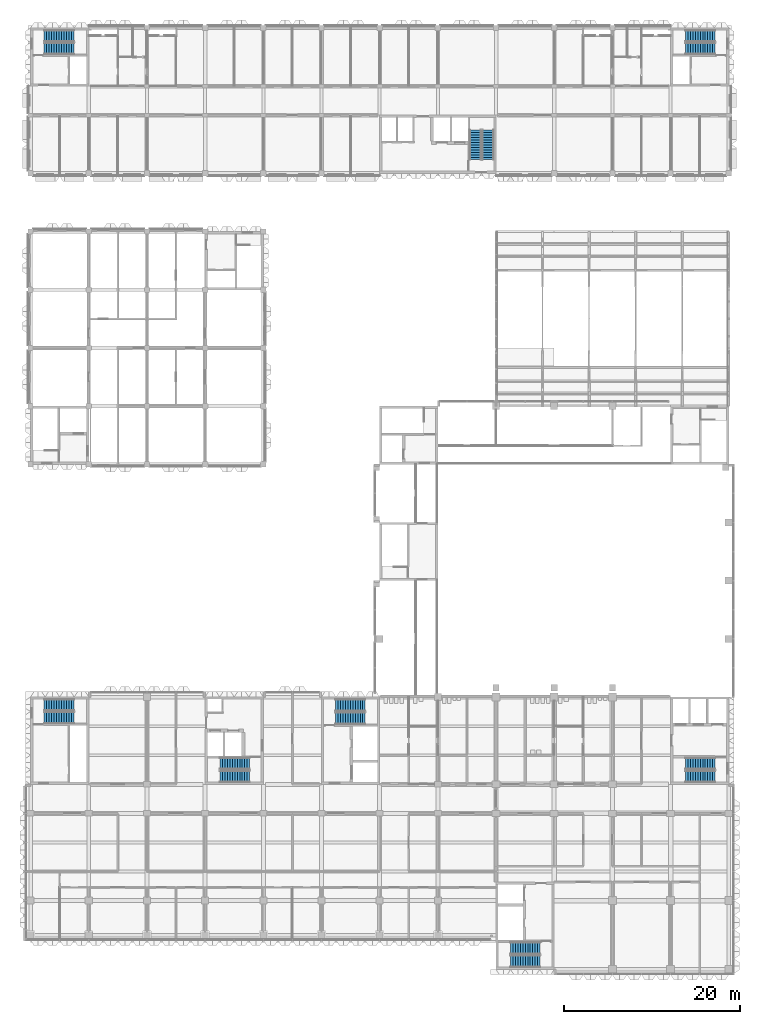
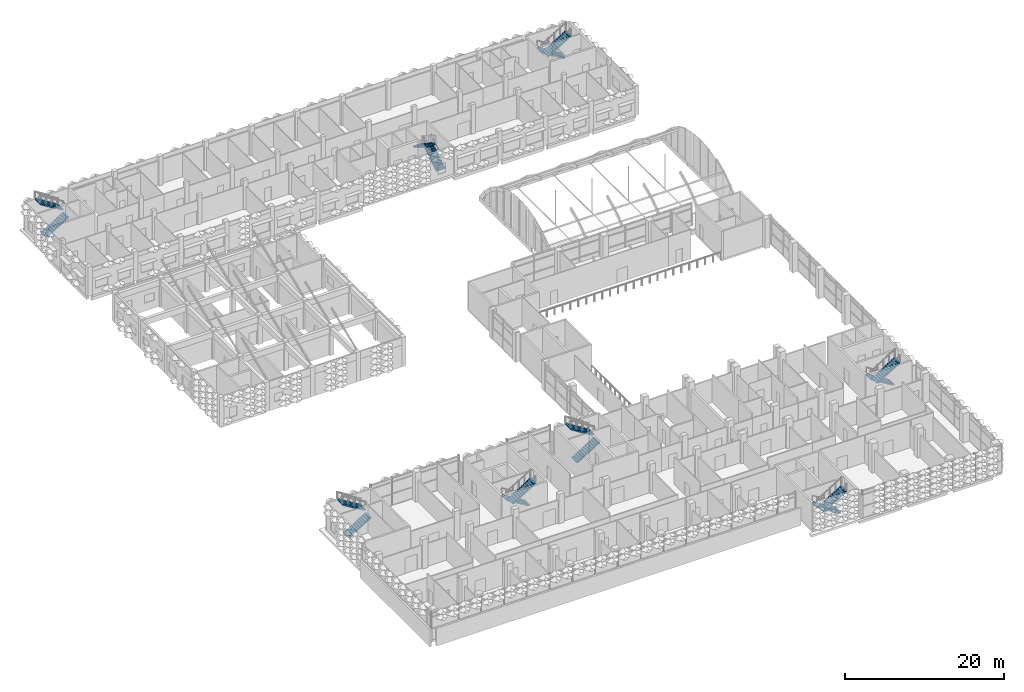
# One storey, part 55 of 102: 16 stair flights, 8 elements without a shape of their own.
"""IFC4 building model written with IfcOpenShell, lengths in metres."""

from ifc_helpers import new_model, si_unit, direction, frame, origin, place, context, subcontext, project, spatial, polyline, outline, extrude, material, type_object, element, aggregate, save


model = new_model("IFC4")

# Units and contexts
model_context = context("Model", 3, precision=1e-05, world=origin(), true_north=direction((0.0, 1.0)))
body_context = subcontext(model_context, "Body", "Model", "MODEL_VIEW")
ifc_project = project(units=[si_unit("LENGTHUNIT", "METRE"), si_unit("AREAUNIT", "SQUARE_METRE"), si_unit("VOLUMEUNIT", "CUBIC_METRE"), si_unit("PLANEANGLEUNIT", "RADIAN"), si_unit("MASSUNIT", "GRAM", prefix="KILO")], contexts=[model_context])

# Site, building, storey
site_placement = place(None, origin())
site = spatial("IfcSite", under=ifc_project, at=site_placement, CompositionType="ELEMENT")
building_placement = place(site_placement, origin())
building = spatial("IfcBuilding", under=site, at=building_placement, Name="Lantern Court Research Institute", CompositionType="ELEMENT")
storey_placement = place(building_placement, frame((0.0, 0.0, 9.89990234375)))
storey = spatial("IfcBuildingStorey", under=building, at=storey_placement, Name="L02", CompositionType="ELEMENT", Elevation=9.89990234375)

# Stair, stair flights
ifc_material_1 = material(Name="Concrete C40/50", Category="concrete")
stair_type_1 = type_object("IfcStairType", Name="RC half-turn stair 1300 wide, 4500 rise, 6100 shaft", PredefinedType="HALF_TURN_STAIR", material=ifc_material_1)
stair_1_placement = place(storey_placement, origin())
stair_1 = element("IfcStair", 1, at=stair_1_placement, inside=storey, type_object=stair_type_1, Name="L02 stair ST-B1", PredefinedType="HALF_TURN_STAIR")
ifc_material_2 = material(Name="Concrete C40/50", Category="concrete")
stair_flight_type_1 = type_object("IfcStairFlightType", Name="RC stair flight 1300 wide, 13 risers of 173, going 280", PredefinedType="STRAIGHT", material=ifc_material_2)
stair_flight_1_placement = place(storey_placement, frame((1.550048828125, 20.75, 0.0), z_axis=(0.0, 0.0, 1.0), x_axis=(1.0, 0.0, 0.0)))
stair_flight_1 = element("IfcStairFlight", 2, at=stair_flight_1_placement, type_object=stair_flight_type_1, Name="ST-B1 flight 1", NumberOfRisers=13, NumberOfTreads=12, PredefinedType="STRAIGHT", RiserHeight=0.173076923, TreadLength=0.28, context=body_context, shape_type="SweptSolid", body=[
    extrude(outline(polyline([(0.0, 0.0), (0.0, 0.173095703125), (0.280029296875, 0.173095703125), (0.280029296875, 0.34619140625), (0.56005859375, 0.34619140625), (0.56005859375, 0.519287109375), (0.840087890625, 0.519287109375), (0.840087890625, 0.6923828125), (1.1201171875, 0.6923828125), (1.1201171875, 0.865478515625), (1.39990234375, 0.865478515625), (1.39990234375, 1.03857421875), (1.679931640625, 1.03857421875), (1.679931640625, 1.21142578125), (1.9599609375, 1.21142578125), (1.9599609375, 1.384521484375), (2.239990234375, 1.384521484375), (2.239990234375, 1.5576171875), (2.52001953125, 1.5576171875), (2.52001953125, 1.730712890625), (2.800048828125, 1.730712890625), (2.800048828125, 1.90380859375), (3.080078125, 1.90380859375), (3.080078125, 2.076904296875), (3.360107421875, 2.076904296875), (3.360107421875, 2.25), (3.360107421875, 1.900634765625), (0.28515625, 0.0), (0.0, 0.0)])), frame((0.0, 0.64990234375, 0.0), z_axis=(0.0, -1.0, 0.0), x_axis=(1.0, 0.0, 0.0)), (0.0, 0.0, 1.0), 1.300048828125),
])
stair_flight_2_placement = place(storey_placement, frame((4.909912109375, 22.199951171875, 2.25), z_axis=(0.0, 0.0, 1.0), x_axis=(-1.0, 0.0, 0.0)))
stair_flight_2 = element("IfcStairFlight", 3, at=stair_flight_2_placement, type_object=stair_flight_type_1, Name="ST-B1 flight 2", NumberOfRisers=13, NumberOfTreads=12, PredefinedType="STRAIGHT", RiserHeight=0.173076923, TreadLength=0.28, context=body_context, shape_type="SweptSolid", body=[
    extrude(outline(polyline([(0.0, 0.0), (0.0, 0.173095703125), (0.280029296875, 0.173095703125), (0.280029296875, 0.34619140625), (0.56005859375, 0.34619140625), (0.56005859375, 0.519287109375), (0.840087890625, 0.519287109375), (0.840087890625, 0.6923828125), (1.1201171875, 0.6923828125), (1.1201171875, 0.865478515625), (1.39990234375, 0.865478515625), (1.39990234375, 1.03857421875), (1.679931640625, 1.03857421875), (1.679931640625, 1.21142578125), (1.9599609375, 1.21142578125), (1.9599609375, 1.384521484375), (2.239990234375, 1.384521484375), (2.239990234375, 1.5576171875), (2.52001953125, 1.5576171875), (2.52001953125, 1.730712890625), (2.800048828125, 1.730712890625), (2.800048828125, 1.90380859375), (3.080078125, 1.90380859375), (3.080078125, 2.076904296875), (3.360107421875, 2.076904296875), (3.360107421875, 2.25), (3.360107421875, 1.900634765625), (0.28515625, 0.0), (0.0, 0.0)])), frame((0.0, 0.64990234375, 0.0), z_axis=(0.0, -1.0, 0.0), x_axis=(1.0, 0.0, 0.0)), (0.0, 0.0, 1.0), 1.300048828125),
])
aggregate(stair_1, [stair_flight_1, stair_flight_2])

stair_2_placement = place(storey_placement, origin())
stair_2 = element("IfcStair", 4, at=stair_2_placement, inside=storey, type_object=stair_type_1, Name="L02 stair ST-B2", PredefinedType="HALF_TURN_STAIR")
stair_flight_3_placement = place(storey_placement, frame((24.85009765625, 15.550048828125, 0.0), z_axis=(0.0, 0.0, 1.0), x_axis=(-1.0, 0.0, 0.0)))
stair_flight_3 = element("IfcStairFlight", 5, at=stair_flight_3_placement, type_object=stair_flight_type_1, Name="ST-B2 flight 1", NumberOfRisers=13, NumberOfTreads=12, PredefinedType="STRAIGHT", RiserHeight=0.173076923, TreadLength=0.28, context=body_context, shape_type="SweptSolid", body=[
    extrude(outline(polyline([(0.0, 0.0), (0.0, 0.173095703125), (0.280029296875, 0.173095703125), (0.280029296875, 0.34619140625), (0.56005859375, 0.34619140625), (0.56005859375, 0.519287109375), (0.840087890625, 0.519287109375), (0.840087890625, 0.6923828125), (1.1201171875, 0.6923828125), (1.1201171875, 0.865478515625), (1.39990234375, 0.865478515625), (1.39990234375, 1.03857421875), (1.679931640625, 1.03857421875), (1.679931640625, 1.21142578125), (1.9599609375, 1.21142578125), (1.9599609375, 1.384521484375), (2.239990234375, 1.384521484375), (2.239990234375, 1.5576171875), (2.52001953125, 1.5576171875), (2.52001953125, 1.730712890625), (2.800048828125, 1.730712890625), (2.800048828125, 1.90380859375), (3.080078125, 1.90380859375), (3.080078125, 2.076904296875), (3.360107421875, 2.076904296875), (3.360107421875, 2.25), (3.360107421875, 1.900634765625), (0.28515625, 0.0), (0.0, 0.0)])), frame((0.0, 0.64990234375, 0.0), z_axis=(0.0, -1.0, 0.0), x_axis=(1.0, 0.0, 0.0)), (0.0, 0.0, 1.0), 1.300048828125),
])
stair_flight_4_placement = place(storey_placement, frame((21.489990234375, 14.10009765625, 2.25), z_axis=(0.0, 0.0, 1.0), x_axis=(1.0, 0.0, 0.0)))
stair_flight_4 = element("IfcStairFlight", 6, at=stair_flight_4_placement, type_object=stair_flight_type_1, Name="ST-B2 flight 2", NumberOfRisers=13, NumberOfTreads=12, PredefinedType="STRAIGHT", RiserHeight=0.173076923, TreadLength=0.28, context=body_context, shape_type="SweptSolid", body=[
    extrude(outline(polyline([(0.0, 0.0), (0.0, 0.173095703125), (0.280029296875, 0.173095703125), (0.280029296875, 0.34619140625), (0.56005859375, 0.34619140625), (0.56005859375, 0.519287109375), (0.840087890625, 0.519287109375), (0.840087890625, 0.6923828125), (1.1201171875, 0.6923828125), (1.1201171875, 0.865478515625), (1.39990234375, 0.865478515625), (1.39990234375, 1.03857421875), (1.679931640625, 1.03857421875), (1.679931640625, 1.21142578125), (1.9599609375, 1.21142578125), (1.9599609375, 1.384521484375), (2.239990234375, 1.384521484375), (2.239990234375, 1.5576171875), (2.52001953125, 1.5576171875), (2.52001953125, 1.730712890625), (2.800048828125, 1.730712890625), (2.800048828125, 1.90380859375), (3.080078125, 1.90380859375), (3.080078125, 2.076904296875), (3.360107421875, 2.076904296875), (3.360107421875, 2.25), (3.360107421875, 1.900634765625), (0.28515625, 0.0), (0.0, 0.0)])), frame((0.0, 0.64990234375, 0.0), z_axis=(0.0, -1.0, 0.0), x_axis=(1.0, 0.0, 0.0)), (0.0, 0.0, 1.0), 1.300048828125),
])
aggregate(stair_2, [stair_flight_3, stair_flight_4])

stair_3_placement = place(storey_placement, origin())
stair_3 = element("IfcStair", 7, at=stair_3_placement, inside=storey, type_object=stair_type_1, Name="L02 stair ST-T2", PredefinedType="HALF_TURN_STAIR")
stair_flight_5_placement = place(storey_placement, frame((77.64990234375, 15.550048828125, 0.0), z_axis=(0.0, 0.0, 1.0), x_axis=(-1.0, 0.0, 0.0)))
stair_flight_5 = element("IfcStairFlight", 8, at=stair_flight_5_placement, type_object=stair_flight_type_1, Name="ST-T2 flight 1", NumberOfRisers=13, NumberOfTreads=12, PredefinedType="STRAIGHT", RiserHeight=0.173076923, TreadLength=0.28, context=body_context, shape_type="SweptSolid", body=[
    extrude(outline(polyline([(0.0, 0.0), (0.0, 0.173095703125), (0.280029296875, 0.173095703125), (0.280029296875, 0.34619140625), (0.56005859375, 0.34619140625), (0.56005859375, 0.519287109375), (0.840087890625, 0.519287109375), (0.840087890625, 0.6923828125), (1.1201171875, 0.6923828125), (1.1201171875, 0.865478515625), (1.39990234375, 0.865478515625), (1.39990234375, 1.03857421875), (1.679931640625, 1.03857421875), (1.679931640625, 1.21142578125), (1.9599609375, 1.21142578125), (1.9599609375, 1.384521484375), (2.239990234375, 1.384521484375), (2.239990234375, 1.5576171875), (2.52001953125, 1.5576171875), (2.52001953125, 1.730712890625), (2.800048828125, 1.730712890625), (2.800048828125, 1.90380859375), (3.080078125, 1.90380859375), (3.080078125, 2.076904296875), (3.360107421875, 2.076904296875), (3.360107421875, 2.25), (3.360107421875, 1.900634765625), (0.28515625, 0.0), (0.0, 0.0)])), frame((0.0, 0.64990234375, 0.0), z_axis=(0.0, -1.0, 0.0), x_axis=(1.0, 0.0, 0.0)), (0.0, 0.0, 1.0), 1.300048828125),
])
stair_flight_6_placement = place(storey_placement, frame((74.2900390625, 14.10009765625, 2.25), z_axis=(0.0, 0.0, 1.0), x_axis=(1.0, 0.0, 0.0)))
stair_flight_6 = element("IfcStairFlight", 9, at=stair_flight_6_placement, type_object=stair_flight_type_1, Name="ST-T2 flight 2", NumberOfRisers=13, NumberOfTreads=12, PredefinedType="STRAIGHT", RiserHeight=0.173076923, TreadLength=0.28, context=body_context, shape_type="SweptSolid", body=[
    extrude(outline(polyline([(0.0, 0.0), (0.0, 0.173095703125), (0.280029296875, 0.173095703125), (0.280029296875, 0.34619140625), (0.56005859375, 0.34619140625), (0.56005859375, 0.519287109375), (0.840087890625, 0.519287109375), (0.840087890625, 0.6923828125), (1.1201171875, 0.6923828125), (1.1201171875, 0.865478515625), (1.39990234375, 0.865478515625), (1.39990234375, 1.03857421875), (1.679931640625, 1.03857421875), (1.679931640625, 1.21142578125), (1.9599609375, 1.21142578125), (1.9599609375, 1.384521484375), (2.239990234375, 1.384521484375), (2.239990234375, 1.5576171875), (2.52001953125, 1.5576171875), (2.52001953125, 1.730712890625), (2.800048828125, 1.730712890625), (2.800048828125, 1.90380859375), (3.080078125, 1.90380859375), (3.080078125, 2.076904296875), (3.360107421875, 2.076904296875), (3.360107421875, 2.25), (3.360107421875, 1.900634765625), (0.28515625, 0.0), (0.0, 0.0)])), frame((0.0, 0.64990234375, 0.0), z_axis=(0.0, -1.0, 0.0), x_axis=(1.0, 0.0, 0.0)), (0.0, 0.0, 1.0), 1.300048828125),
])
aggregate(stair_3, [stair_flight_5, stair_flight_6])

stair_4_placement = place(storey_placement, origin())
stair_4 = element("IfcStair", 10, at=stair_4_placement, inside=storey, type_object=stair_type_1, Name="L02 stair ST-W1", PredefinedType="HALF_TURN_STAIR")
stair_flight_7_placement = place(storey_placement, frame((1.550048828125, 96.64990234375, 0.0), z_axis=(0.0, 0.0, 1.0), x_axis=(1.0, 0.0, 0.0)))
stair_flight_7 = element("IfcStairFlight", 11, at=stair_flight_7_placement, type_object=stair_flight_type_1, Name="ST-W1 flight 1", NumberOfRisers=13, NumberOfTreads=12, PredefinedType="STRAIGHT", RiserHeight=0.173076923, TreadLength=0.28, context=body_context, shape_type="SweptSolid", body=[
    extrude(outline(polyline([(0.0, 0.0), (0.0, 0.173095703125), (0.280029296875, 0.173095703125), (0.280029296875, 0.34619140625), (0.56005859375, 0.34619140625), (0.56005859375, 0.519287109375), (0.840087890625, 0.519287109375), (0.840087890625, 0.6923828125), (1.1201171875, 0.6923828125), (1.1201171875, 0.865478515625), (1.39990234375, 0.865478515625), (1.39990234375, 1.03857421875), (1.679931640625, 1.03857421875), (1.679931640625, 1.21142578125), (1.9599609375, 1.21142578125), (1.9599609375, 1.384521484375), (2.239990234375, 1.384521484375), (2.239990234375, 1.5576171875), (2.52001953125, 1.5576171875), (2.52001953125, 1.730712890625), (2.800048828125, 1.730712890625), (2.800048828125, 1.90380859375), (3.080078125, 1.90380859375), (3.080078125, 2.076904296875), (3.360107421875, 2.076904296875), (3.360107421875, 2.25), (3.360107421875, 1.900634765625), (0.28515625, 0.0), (0.0, 0.0)])), frame((0.0, 0.64990234375, 0.0), z_axis=(0.0, -1.0, 0.0), x_axis=(1.0, 0.0, 0.0)), (0.0, 0.0, 1.0), 1.300048828125),
])
stair_flight_8_placement = place(storey_placement, frame((4.909912109375, 98.10009765625, 2.25), z_axis=(0.0, 0.0, 1.0), x_axis=(-1.0, 0.0, 0.0)))
stair_flight_8 = element("IfcStairFlight", 12, at=stair_flight_8_placement, type_object=stair_flight_type_1, Name="ST-W1 flight 2", NumberOfRisers=13, NumberOfTreads=12, PredefinedType="STRAIGHT", RiserHeight=0.173076923, TreadLength=0.28, context=body_context, shape_type="SweptSolid", body=[
    extrude(outline(polyline([(0.0, 0.0), (0.0, 0.173095703125), (0.280029296875, 0.173095703125), (0.280029296875, 0.34619140625), (0.56005859375, 0.34619140625), (0.56005859375, 0.519287109375), (0.840087890625, 0.519287109375), (0.840087890625, 0.6923828125), (1.1201171875, 0.6923828125), (1.1201171875, 0.865478515625), (1.39990234375, 0.865478515625), (1.39990234375, 1.03857421875), (1.679931640625, 1.03857421875), (1.679931640625, 1.21142578125), (1.9599609375, 1.21142578125), (1.9599609375, 1.384521484375), (2.239990234375, 1.384521484375), (2.239990234375, 1.5576171875), (2.52001953125, 1.5576171875), (2.52001953125, 1.730712890625), (2.800048828125, 1.730712890625), (2.800048828125, 1.90380859375), (3.080078125, 1.90380859375), (3.080078125, 2.076904296875), (3.360107421875, 2.076904296875), (3.360107421875, 2.25), (3.360107421875, 1.900634765625), (0.28515625, 0.0), (0.0, 0.0)])), frame((0.0, 0.64990234375, 0.0), z_axis=(0.0, -1.0, 0.0), x_axis=(1.0, 0.0, 0.0)), (0.0, 0.0, 1.0), 1.300048828125),
])
aggregate(stair_4, [stair_flight_7, stair_flight_8])

stair_5_placement = place(storey_placement, origin())
stair_5 = element("IfcStair", 13, at=stair_5_placement, inside=storey, type_object=stair_type_1, Name="L02 stair ST-W2", PredefinedType="HALF_TURN_STAIR")
stair_flight_9_placement = place(storey_placement, frame((51.89990234375, 84.050048828125, 0.0), z_axis=(0.0, 0.0, 1.0), x_axis=(0.0, 1.0, 0.0)))
stair_flight_9 = element("IfcStairFlight", 14, at=stair_flight_9_placement, type_object=stair_flight_type_1, Name="ST-W2 flight 1", NumberOfRisers=13, NumberOfTreads=12, PredefinedType="STRAIGHT", RiserHeight=0.173076923, TreadLength=0.28, context=body_context, shape_type="SweptSolid", body=[
    extrude(outline(polyline([(0.0, 0.0), (0.0, 0.173095703125), (0.280029296875, 0.173095703125), (0.280029296875, 0.34619140625), (0.56005859375, 0.34619140625), (0.56005859375, 0.519287109375), (0.840087890625, 0.519287109375), (0.840087890625, 0.6923828125), (1.1201171875, 0.6923828125), (1.1201171875, 0.865478515625), (1.39990234375, 0.865478515625), (1.39990234375, 1.03857421875), (1.679931640625, 1.03857421875), (1.679931640625, 1.21142578125), (1.9599609375, 1.21142578125), (1.9599609375, 1.384521484375), (2.239990234375, 1.384521484375), (2.239990234375, 1.5576171875), (2.52001953125, 1.5576171875), (2.52001953125, 1.730712890625), (2.800048828125, 1.730712890625), (2.800048828125, 1.90380859375), (3.080078125, 1.90380859375), (3.080078125, 2.076904296875), (3.360107421875, 2.076904296875), (3.360107421875, 2.25), (3.360107421875, 1.900634765625), (0.28515625, 0.0), (0.0, 0.0)])), frame((0.0, 0.64990234375, 0.0), z_axis=(0.0, -1.0, 0.0), x_axis=(1.0, 0.0, 0.0)), (0.0, 0.0, 1.0), 1.300048828125),
])
stair_flight_10_placement = place(storey_placement, frame((50.449951171875, 87.409912109375, 2.25), z_axis=(0.0, 0.0, 1.0), x_axis=(0.0, -1.0, 0.0)))
stair_flight_10 = element("IfcStairFlight", 15, at=stair_flight_10_placement, type_object=stair_flight_type_1, Name="ST-W2 flight 2", NumberOfRisers=13, NumberOfTreads=12, PredefinedType="STRAIGHT", RiserHeight=0.173076923, TreadLength=0.28, context=body_context, shape_type="SweptSolid", body=[
    extrude(outline(polyline([(0.0, 0.0), (0.0, 0.173095703125), (0.280029296875, 0.173095703125), (0.280029296875, 0.34619140625), (0.56005859375, 0.34619140625), (0.56005859375, 0.519287109375), (0.840087890625, 0.519287109375), (0.840087890625, 0.6923828125), (1.1201171875, 0.6923828125), (1.1201171875, 0.865478515625), (1.39990234375, 0.865478515625), (1.39990234375, 1.03857421875), (1.679931640625, 1.03857421875), (1.679931640625, 1.21142578125), (1.9599609375, 1.21142578125), (1.9599609375, 1.384521484375), (2.239990234375, 1.384521484375), (2.239990234375, 1.5576171875), (2.52001953125, 1.5576171875), (2.52001953125, 1.730712890625), (2.800048828125, 1.730712890625), (2.800048828125, 1.90380859375), (3.080078125, 1.90380859375), (3.080078125, 2.076904296875), (3.360107421875, 2.076904296875), (3.360107421875, 2.25), (3.360107421875, 1.900634765625), (0.28515625, 0.0), (0.0, 0.0)])), frame((0.0, 0.64990234375, 0.0), z_axis=(0.0, -1.0, 0.0), x_axis=(1.0, 0.0, 0.0)), (0.0, 0.0, 1.0), 1.300048828125),
])
aggregate(stair_5, [stair_flight_9, stair_flight_10])

stair_6_placement = place(storey_placement, origin())
stair_6 = element("IfcStair", 16, at=stair_6_placement, inside=storey, type_object=stair_type_1, Name="L02 stair ST-W3", PredefinedType="HALF_TURN_STAIR")
stair_flight_11_placement = place(storey_placement, frame((77.64990234375, 98.10009765625, 0.0), z_axis=(0.0, 0.0, 1.0), x_axis=(-1.0, 0.0, 0.0)))
stair_flight_11 = element("IfcStairFlight", 17, at=stair_flight_11_placement, type_object=stair_flight_type_1, Name="ST-W3 flight 1", NumberOfRisers=13, NumberOfTreads=12, PredefinedType="STRAIGHT", RiserHeight=0.173076923, TreadLength=0.28, context=body_context, shape_type="SweptSolid", body=[
    extrude(outline(polyline([(0.0, 0.0), (0.0, 0.173095703125), (0.280029296875, 0.173095703125), (0.280029296875, 0.34619140625), (0.56005859375, 0.34619140625), (0.56005859375, 0.519287109375), (0.840087890625, 0.519287109375), (0.840087890625, 0.6923828125), (1.1201171875, 0.6923828125), (1.1201171875, 0.865478515625), (1.39990234375, 0.865478515625), (1.39990234375, 1.03857421875), (1.679931640625, 1.03857421875), (1.679931640625, 1.21142578125), (1.9599609375, 1.21142578125), (1.9599609375, 1.384521484375), (2.239990234375, 1.384521484375), (2.239990234375, 1.5576171875), (2.52001953125, 1.5576171875), (2.52001953125, 1.730712890625), (2.800048828125, 1.730712890625), (2.800048828125, 1.90380859375), (3.080078125, 1.90380859375), (3.080078125, 2.076904296875), (3.360107421875, 2.076904296875), (3.360107421875, 2.25), (3.360107421875, 1.900634765625), (0.28515625, 0.0), (0.0, 0.0)])), frame((0.0, 0.64990234375, 0.0), z_axis=(0.0, -1.0, 0.0), x_axis=(1.0, 0.0, 0.0)), (0.0, 0.0, 1.0), 1.300048828125),
])
stair_flight_12_placement = place(storey_placement, frame((74.2900390625, 96.64990234375, 2.25), z_axis=(0.0, 0.0, 1.0), x_axis=(1.0, 0.0, 0.0)))
stair_flight_12 = element("IfcStairFlight", 18, at=stair_flight_12_placement, type_object=stair_flight_type_1, Name="ST-W3 flight 2", NumberOfRisers=13, NumberOfTreads=12, PredefinedType="STRAIGHT", RiserHeight=0.173076923, TreadLength=0.28, context=body_context, shape_type="SweptSolid", body=[
    extrude(outline(polyline([(0.0, 0.0), (0.0, 0.173095703125), (0.280029296875, 0.173095703125), (0.280029296875, 0.34619140625), (0.56005859375, 0.34619140625), (0.56005859375, 0.519287109375), (0.840087890625, 0.519287109375), (0.840087890625, 0.6923828125), (1.1201171875, 0.6923828125), (1.1201171875, 0.865478515625), (1.39990234375, 0.865478515625), (1.39990234375, 1.03857421875), (1.679931640625, 1.03857421875), (1.679931640625, 1.21142578125), (1.9599609375, 1.21142578125), (1.9599609375, 1.384521484375), (2.239990234375, 1.384521484375), (2.239990234375, 1.5576171875), (2.52001953125, 1.5576171875), (2.52001953125, 1.730712890625), (2.800048828125, 1.730712890625), (2.800048828125, 1.90380859375), (3.080078125, 1.90380859375), (3.080078125, 2.076904296875), (3.360107421875, 2.076904296875), (3.360107421875, 2.25), (3.360107421875, 1.900634765625), (0.28515625, 0.0), (0.0, 0.0)])), frame((0.0, 0.64990234375, 0.0), z_axis=(0.0, -1.0, 0.0), x_axis=(1.0, 0.0, 0.0)), (0.0, 0.0, 1.0), 1.300048828125),
])
aggregate(stair_6, [stair_flight_11, stair_flight_12])

ifc_material_3 = material(Name="Concrete C40/50", Category="concrete")
stair_type_2 = type_object("IfcStairType", Name="RC half-turn stair 1350 wide, 4500 rise, 6100 shaft", PredefinedType="HALF_TURN_STAIR", material=ifc_material_3)
stair_7_placement = place(storey_placement, origin())
stair_7 = element("IfcStair", 19, at=stair_7_placement, inside=storey, type_object=stair_type_2, Name="L02 stair ST-B3", PredefinedType="HALF_TURN_STAIR")
ifc_material_4 = material(Name="Concrete C40/50", Category="concrete")
stair_flight_type_2 = type_object("IfcStairFlightType", Name="RC stair flight 1350 wide, 13 risers of 173, going 280", PredefinedType="STRAIGHT", material=ifc_material_4)
stair_flight_13_placement = place(storey_placement, frame((34.60009765625, 20.675048828125, 0.0), z_axis=(0.0, 0.0, 1.0), x_axis=(1.0, 0.0, 0.0)))
stair_flight_13 = element("IfcStairFlight", 20, at=stair_flight_13_placement, type_object=stair_flight_type_2, Name="ST-B3 flight 1", NumberOfRisers=13, NumberOfTreads=12, PredefinedType="STRAIGHT", RiserHeight=0.173076923, TreadLength=0.28, context=body_context, shape_type="SweptSolid", body=[
    extrude(outline(polyline([(0.0, 0.0), (0.0, 0.173095703125), (0.280029296875, 0.173095703125), (0.280029296875, 0.34619140625), (0.56005859375, 0.34619140625), (0.56005859375, 0.519287109375), (0.840087890625, 0.519287109375), (0.840087890625, 0.6923828125), (1.1201171875, 0.6923828125), (1.1201171875, 0.865478515625), (1.39990234375, 0.865478515625), (1.39990234375, 1.03857421875), (1.679931640625, 1.03857421875), (1.679931640625, 1.21142578125), (1.9599609375, 1.21142578125), (1.9599609375, 1.384521484375), (2.239990234375, 1.384521484375), (2.239990234375, 1.5576171875), (2.52001953125, 1.5576171875), (2.52001953125, 1.730712890625), (2.800048828125, 1.730712890625), (2.800048828125, 1.90380859375), (3.080078125, 1.90380859375), (3.080078125, 2.076904296875), (3.360107421875, 2.076904296875), (3.360107421875, 2.25), (3.360107421875, 1.900634765625), (0.28515625, 0.0), (0.0, 0.0)])), frame((0.0, 0.675048828125, 0.0), z_axis=(0.0, -1.0, 0.0), x_axis=(1.0, 0.0, 0.0)), (0.0, 0.0, 1.0), 1.35009765625),
])
stair_flight_14_placement = place(storey_placement, frame((37.9599609375, 22.175048828125, 2.25), z_axis=(0.0, 0.0, 1.0), x_axis=(-1.0, 0.0, 0.0)))
stair_flight_14 = element("IfcStairFlight", 21, at=stair_flight_14_placement, type_object=stair_flight_type_2, Name="ST-B3 flight 2", NumberOfRisers=13, NumberOfTreads=12, PredefinedType="STRAIGHT", RiserHeight=0.173076923, TreadLength=0.28, context=body_context, shape_type="SweptSolid", body=[
    extrude(outline(polyline([(0.0, 0.0), (0.0, 0.173095703125), (0.280029296875, 0.173095703125), (0.280029296875, 0.34619140625), (0.56005859375, 0.34619140625), (0.56005859375, 0.519287109375), (0.840087890625, 0.519287109375), (0.840087890625, 0.6923828125), (1.1201171875, 0.6923828125), (1.1201171875, 0.865478515625), (1.39990234375, 0.865478515625), (1.39990234375, 1.03857421875), (1.679931640625, 1.03857421875), (1.679931640625, 1.21142578125), (1.9599609375, 1.21142578125), (1.9599609375, 1.384521484375), (2.239990234375, 1.384521484375), (2.239990234375, 1.5576171875), (2.52001953125, 1.5576171875), (2.52001953125, 1.730712890625), (2.800048828125, 1.730712890625), (2.800048828125, 1.90380859375), (3.080078125, 1.90380859375), (3.080078125, 2.076904296875), (3.360107421875, 2.076904296875), (3.360107421875, 2.25), (3.360107421875, 1.900634765625), (0.28515625, 0.0), (0.0, 0.0)])), frame((0.0, 0.675048828125, 0.0), z_axis=(0.0, -1.0, 0.0), x_axis=(1.0, 0.0, 0.0)), (0.0, 0.0, 1.0), 1.35009765625),
])
aggregate(stair_7, [stair_flight_13, stair_flight_14])

stair_8_placement = place(storey_placement, origin())
stair_8 = element("IfcStair", 22, at=stair_8_placement, inside=storey, type_object=stair_type_2, Name="L02 stair ST-T1", PredefinedType="HALF_TURN_STAIR")
stair_flight_15_placement = place(storey_placement, frame((57.800048828125, -5.375, 0.0), z_axis=(0.0, 0.0, 1.0), x_axis=(-1.0, 0.0, 0.0)))
stair_flight_15 = element("IfcStairFlight", 23, at=stair_flight_15_placement, type_object=stair_flight_type_2, Name="ST-T1 flight 1", NumberOfRisers=13, NumberOfTreads=12, PredefinedType="STRAIGHT", RiserHeight=0.173076923, TreadLength=0.28, context=body_context, shape_type="SweptSolid", body=[
    extrude(outline(polyline([(0.0, 0.0), (0.0, 0.173095703125), (0.280029296875, 0.173095703125), (0.280029296875, 0.34619140625), (0.56005859375, 0.34619140625), (0.56005859375, 0.519287109375), (0.840087890625, 0.519287109375), (0.840087890625, 0.6923828125), (1.1201171875, 0.6923828125), (1.1201171875, 0.865478515625), (1.39990234375, 0.865478515625), (1.39990234375, 1.03857421875), (1.679931640625, 1.03857421875), (1.679931640625, 1.21142578125), (1.9599609375, 1.21142578125), (1.9599609375, 1.384521484375), (2.239990234375, 1.384521484375), (2.239990234375, 1.5576171875), (2.52001953125, 1.5576171875), (2.52001953125, 1.730712890625), (2.800048828125, 1.730712890625), (2.800048828125, 1.90380859375), (3.080078125, 1.90380859375), (3.080078125, 2.076904296875), (3.360107421875, 2.076904296875), (3.360107421875, 2.25), (3.360107421875, 1.900634765625), (0.28515625, 0.0), (0.0, 0.0)])), frame((0.0, 0.675048828125, 0.0), z_axis=(0.0, -1.0, 0.0), x_axis=(1.0, 0.0, 0.0)), (0.0, 0.0, 1.0), 1.35009765625),
])
stair_flight_16_placement = place(storey_placement, frame((54.43994140625, -6.875, 2.25), z_axis=(0.0, 0.0, 1.0), x_axis=(1.0, 0.0, 0.0)))
stair_flight_16 = element("IfcStairFlight", 24, at=stair_flight_16_placement, type_object=stair_flight_type_2, Name="ST-T1 flight 2", NumberOfRisers=13, NumberOfTreads=12, PredefinedType="STRAIGHT", RiserHeight=0.173076923, TreadLength=0.28, context=body_context, shape_type="SweptSolid", body=[
    extrude(outline(polyline([(0.0, 0.0), (0.0, 0.173095703125), (0.280029296875, 0.173095703125), (0.280029296875, 0.34619140625), (0.56005859375, 0.34619140625), (0.56005859375, 0.519287109375), (0.840087890625, 0.519287109375), (0.840087890625, 0.6923828125), (1.1201171875, 0.6923828125), (1.1201171875, 0.865478515625), (1.39990234375, 0.865478515625), (1.39990234375, 1.03857421875), (1.679931640625, 1.03857421875), (1.679931640625, 1.21142578125), (1.9599609375, 1.21142578125), (1.9599609375, 1.384521484375), (2.239990234375, 1.384521484375), (2.239990234375, 1.5576171875), (2.52001953125, 1.5576171875), (2.52001953125, 1.730712890625), (2.800048828125, 1.730712890625), (2.800048828125, 1.90380859375), (3.080078125, 1.90380859375), (3.080078125, 2.076904296875), (3.360107421875, 2.076904296875), (3.360107421875, 2.25), (3.360107421875, 1.900634765625), (0.28515625, 0.0), (0.0, 0.0)])), frame((0.0, 0.675048828125, 0.0), z_axis=(0.0, -1.0, 0.0), x_axis=(1.0, 0.0, 0.0)), (0.0, 0.0, 1.0), 1.35009765625),
])
aggregate(stair_8, [stair_flight_15, stair_flight_16])

save(model, "model.ifc")
